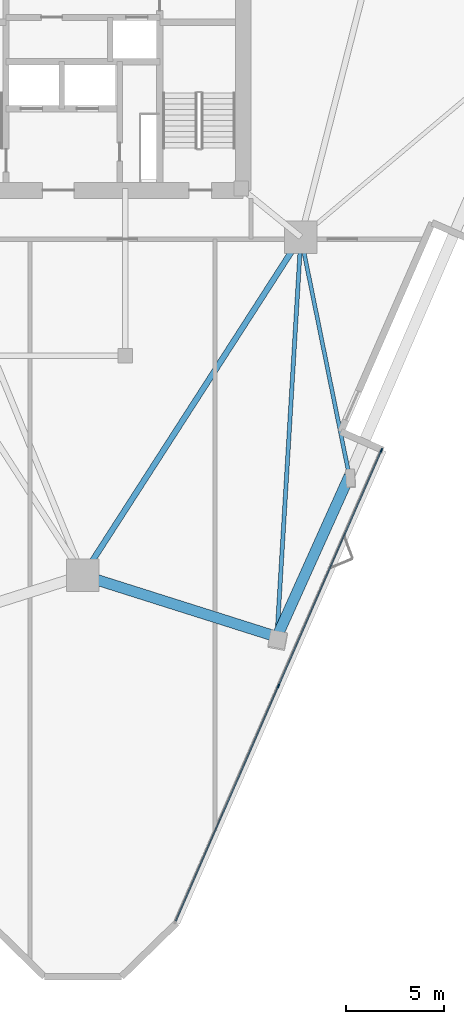
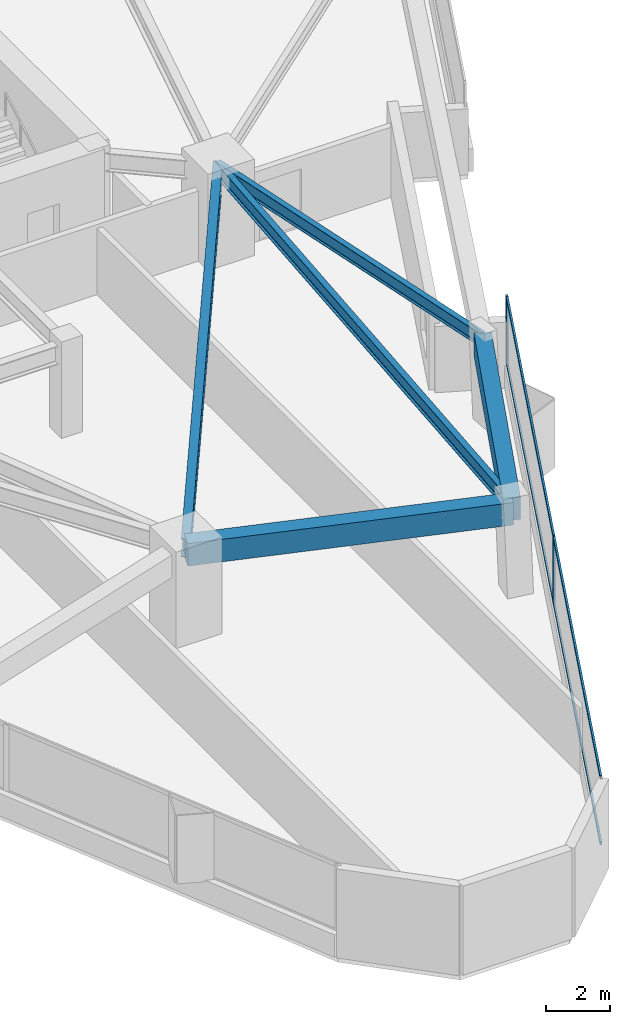
# One storey, part 3 of 15: 6 members, 5 beams, 1 element without a shape of its own.
"""IFC4 building model written with IfcOpenShell, lengths in metres."""

from ifc_helpers import new_model, si_unit, direction, frame, origin, origin_2d, place, context, subcontext, project, spatial, rectangle, i_section, extrude, material, layer, layer_set, material_profile, profile_set, type_object, element, aggregate, save


model = new_model("IFC4")

# Units and contexts
model_context = context("Model", 3, precision=1e-05, world=origin(), true_north=direction((0.0, 1.0)))
body_context = subcontext(model_context, "Body", "Model", "MODEL_VIEW")
ifc_project = project(units=[si_unit("LENGTHUNIT", "METRE"), si_unit("AREAUNIT", "SQUARE_METRE"), si_unit("VOLUMEUNIT", "CUBIC_METRE"), si_unit("PLANEANGLEUNIT", "RADIAN"), si_unit("MASSUNIT", "GRAM", prefix="KILO")], contexts=[model_context])

# Site, building, storey
site_placement = place(None, origin())
site = spatial("IfcSite", under=ifc_project, at=site_placement, CompositionType="ELEMENT")
building_placement = place(site_placement, origin())
building = spatial("IfcBuilding", under=site, at=building_placement, Name="Talyreon Biosciences Tower", CompositionType="ELEMENT")
storey_placement = place(building_placement, frame((0.0, 0.0, 100.550048828125)))
storey = spatial("IfcBuildingStorey", under=building, at=storey_placement, Name="L26", CompositionType="ELEMENT", Elevation=100.550048828125)

# Curtain wall, members
ifc_material_1 = material(Name="Thermally broken aluminium and low-E glazing", Category="aluminium")
ifc_layer = layer(ifc_material_1, 0.205078125)
ifc_layer_set = layer_set([ifc_layer], Name="Thermally broken aluminium and low-E glazing")
curtain_wall_type = type_object("IfcCurtainWallType", Name="CurtainWall_SkyGardenLoggia", PredefinedType="NOTDEFINED", material=ifc_layer_set)
curtain_wall_placement = place(storey_placement, origin())
curtain_wall = element("IfcCurtainWall", 1, at=curtain_wall_placement, inside=storey, type_object=curtain_wall_type, Name="L26 Unitised Curtain Wall FCW-L26-11", PredefinedType="NOTDEFINED")
ifc_material_2 = material(Name="Anodised thermally broken aluminium", Category="aluminium")
ifc_material_profile_1 = material_profile(ifc_material_2, rectangle(XDim=0.074951171875, YDim=0.2099609375, at=origin_2d()), Name="ALUM MULLION 75x210")
ifc_profile_set_1 = profile_set([ifc_material_profile_1], Name="Anodised thermally broken aluminium")
member_type_1 = type_object("IfcMemberType", Name="CWMullion_75x210", PredefinedType="MULLION", material=ifc_profile_set_1)
member_1_placement = place(storey_placement, frame((81.181396484375, 48.03125, 0.81005859375), z_axis=(0.0, 0.0, 1.0), x_axis=(0.916345572627, -0.400388300937, 0.0)))
member_1 = element("IfcMember", 2, at=member_1_placement, type_object=member_type_1, Name="CW7 mullion 1", PredefinedType="MULLION", context=body_context, shape_type="SweptSolid", body=[
    extrude(rectangle(XDim=0.074951171875, YDim=0.2099609375, at=origin_2d()), origin(), (0.0, 0.0, 1.0), 2.56494140625),
])
member_2_placement = place(storey_placement, frame((75.944091796875, 36.044677734375, 0.81005859375), z_axis=(0.0, 0.0, 1.0), x_axis=(0.916345572627, -0.400388300937, 0.0)))
member_2 = element("IfcMember", 3, at=member_2_placement, type_object=member_type_1, Name="CW7 mullion 2", PredefinedType="MULLION", context=body_context, shape_type="SweptSolid", body=[
    extrude(rectangle(XDim=0.074951171875, YDim=0.2099609375, at=origin_2d()), origin(), (0.0, 0.0, 1.0), 2.56494140625),
])
ifc_material_profile_2 = material_profile(ifc_material_2, rectangle(XDim=0.06494140625, YDim=0.139892578125, at=origin_2d()), Name="ALUM TRANSOM 65x140")
ifc_profile_set_2 = profile_set([ifc_material_profile_2], Name="Anodised thermally broken aluminium")
member_type_2 = type_object("IfcMemberType", Name="CWTransom_65x140", PredefinedType="USERDEFINED", material=ifc_profile_set_2)
member_3_placement = place(storey_placement, frame((81.166259765625, 47.996826171875, 0.842529296875), z_axis=(-0.400384513309, -0.916347227585, 0.0), x_axis=(0.916347227585, -0.400384513309, 0.0)))
member_3 = element("IfcMember", 4, at=member_3_placement, type_object=member_type_2, Name="CW7 transom 1.1", ObjectType="TRANSOM", PredefinedType="USERDEFINED", context=body_context, shape_type="SweptSolid", body=[
    extrude(rectangle(XDim=0.06494140625, YDim=0.139892578125, at=origin_2d()), origin(), (0.0, 0.0, 1.0), 13.005615234375),
])
member_4_placement = place(storey_placement, frame((81.166259765625, 47.996826171875, 3.342529296875), z_axis=(-0.400384513309, -0.916347227585, 0.0), x_axis=(0.916347227585, -0.400384513309, 0.0)))
member_4 = element("IfcMember", 5, at=member_4_placement, type_object=member_type_2, Name="CW7 transom 1.2", ObjectType="TRANSOM", PredefinedType="USERDEFINED", context=body_context, shape_type="SweptSolid", body=[
    extrude(rectangle(XDim=0.06494140625, YDim=0.139892578125, at=origin_2d()), origin(), (0.0, 0.0, 1.0), 13.005615234375),
])
member_5_placement = place(storey_placement, frame((75.928955078125, 36.010498046875, 0.842529296875), z_axis=(-0.400384513309, -0.916347227585, 0.0), x_axis=(0.916347227585, -0.400384513309, 0.0)))
member_5 = element("IfcMember", 6, at=member_5_placement, type_object=member_type_2, Name="CW7 transom 2.1", ObjectType="TRANSOM", PredefinedType="USERDEFINED", context=body_context, shape_type="SweptSolid", body=[
    extrude(rectangle(XDim=0.06494140625, YDim=0.139892578125, at=origin_2d()), origin(), (0.0, 0.0, 1.0), 13.005615234375),
])
member_6_placement = place(storey_placement, frame((75.928955078125, 36.010498046875, 3.342529296875), z_axis=(-0.400384513309, -0.916347227585, 0.0), x_axis=(0.916347227585, -0.400384513309, 0.0)))
member_6 = element("IfcMember", 7, at=member_6_placement, type_object=member_type_2, Name="CW7 transom 2.2", ObjectType="TRANSOM", PredefinedType="USERDEFINED", context=body_context, shape_type="SweptSolid", body=[
    extrude(rectangle(XDim=0.06494140625, YDim=0.139892578125, at=origin_2d()), origin(), (0.0, 0.0, 1.0), 13.005615234375),
])
aggregate(curtain_wall, [member_1, member_2, member_3, member_4, member_5, member_6])

# Beams
ifc_material_3 = material(Name="Precast concrete C45/55", Category="concrete")
ifc_material_profile_3 = material_profile(ifc_material_3, rectangle(XDim=0.550048828125, YDim=0.85009765625, at=origin_2d()), Name="RCB 550x850")
ifc_profile_set_3 = profile_set([ifc_material_profile_3], Name="Precast concrete C45/55")
beam_type_1 = type_object("IfcBeamType", Name="ExpressedSpandrel_550x850", PredefinedType="SPANDREL", material=ifc_profile_set_3)
beam_1_placement = place(storey_placement, frame((66.0, 41.6669921875, 2.949951171875), z_axis=(0.953380685444, -0.301770224878, 0.0), x_axis=(0.301770224878, 0.953380685444, 0.0)))
element("IfcBeam", 8, at=beam_1_placement, inside=storey, type_object=beam_type_1, Name="L26 Expressed Horizontal Concrete Spandrel 01", PredefinedType="SPANDREL", context=body_context, shape_type="SweptSolid", body=[
    extrude(rectangle(XDim=0.550048828125, YDim=0.85009765625, at=origin_2d()), origin(), (0.0, 0.0, 1.0), 10.3505859375),
])
beam_2_placement = place(storey_placement, frame((75.8681640625, 38.54345703125, 2.949951171875), z_axis=(0.410572884935, 0.911827783167, 0.0), x_axis=(-0.911827783167, 0.410572884935, 0.0)))
element("IfcBeam", 9, at=beam_2_placement, inside=storey, type_object=beam_type_1, Name="L26 Expressed Horizontal Concrete Spandrel 02", PredefinedType="SPANDREL", context=body_context, shape_type="SweptSolid", body=[
    extrude(rectangle(XDim=0.550048828125, YDim=0.85009765625, at=origin_2d()), origin(), (0.0, 0.0, 1.0), 8.970703125),
])
ifc_material_4 = material(Name="Steel SM355", Category="steel")
ifc_material_profile_4 = material_profile(ifc_material_4, i_section(OverallWidth=0.300048828125, OverallDepth=0.699951171875, WebThickness=0.01708984375, FlangeThickness=0.031982421875, FilletRadius=0.027099609375, at=origin_2d()), Name="HE700B")
ifc_profile_set_4 = profile_set([ifc_material_profile_4], Name="Steel SM355")
beam_type_2 = type_object("IfcBeamType", Name="SteelGirder_HE700B", PredefinedType="BEAM", material=ifc_profile_set_4)
beam_3_placement = place(storey_placement, frame((66.0, 41.6669921875, 3.02490234375), z_axis=(0.541463723609, 0.840724114092, 0.0), x_axis=(-0.840724114092, 0.541463723609, 0.0)))
element("IfcBeam", 10, at=beam_3_placement, inside=storey, type_object=beam_type_2, Name="L26 Mega-Ring Girder 1", PredefinedType="BEAM", context=body_context, shape_type="SweptSolid", body=[
    extrude(i_section(OverallWidth=0.300048828125, OverallDepth=0.699951171875, WebThickness=0.01708984375, FlangeThickness=0.031982421875, FilletRadius=0.027099609375, at=origin_2d()), origin(), (0.0, 0.0, 1.0), 20.474365234375),
])
ifc_material_profile_5 = material_profile(ifc_material_4, i_section(OverallWidth=0.199951171875, OverallDepth=0.5, WebThickness=0.01025390625, FlangeThickness=0.01611328125, FilletRadius=0.02099609375, at=origin_2d()), Name="IPE500")
ifc_profile_set_5 = profile_set([ifc_material_profile_5], Name="Steel SM355")
beam_type_3 = type_object("IfcBeamType", Name="SteelJoist_IPE500", PredefinedType="JOIST", material=ifc_profile_set_5)
beam_4_placement = place(storey_placement, frame((77.086181640625, 58.88037109375, 3.125), z_axis=(0.19872322886, -0.98005565062, 0.0), x_axis=(0.98005565062, 0.19872322886, 0.0)))
element("IfcBeam", 11, at=beam_4_placement, inside=storey, type_object=beam_type_3, Name="L26 Radial Composite Floor Joist PL-SE", PredefinedType="JOIST", context=body_context, shape_type="SweptSolid", body=[
    extrude(i_section(OverallWidth=0.199951171875, OverallDepth=0.5, WebThickness=0.01025390625, FlangeThickness=0.01611328125, FilletRadius=0.02099609375, at=origin_2d()), origin(), (0.0, 0.0, 1.0), 12.404541015625),
])
ifc_material_profile_6 = material_profile(ifc_material_4, i_section(OverallWidth=0.2099609375, OverallDepth=0.550048828125, WebThickness=0.010986328125, FlangeThickness=0.01708984375, FilletRadius=0.02392578125, at=origin_2d()), Name="IPE550")
ifc_profile_set_6 = profile_set([ifc_material_profile_6], Name="Steel SM355")
beam_type_4 = type_object("IfcBeamType", Name="SteelJoist_IPE550", PredefinedType="JOIST", material=ifc_profile_set_6)
beam_5_placement = place(storey_placement, frame((77.086181640625, 58.88037109375, 3.099853515625), z_axis=(-0.059784827289, -0.998211287467, 0.0), x_axis=(0.998211287467, -0.059784827289, 0.0)))
element("IfcBeam", 12, at=beam_5_placement, inside=storey, type_object=beam_type_4, Name="L26 Radial Composite Floor Joist PC-SE1", PredefinedType="JOIST", context=body_context, shape_type="SweptSolid", body=[
    extrude(i_section(OverallWidth=0.2099609375, OverallDepth=0.550048828125, WebThickness=0.010986328125, FlangeThickness=0.01708984375, FilletRadius=0.02392578125, at=origin_2d()), origin(), (0.0, 0.0, 1.0), 20.373291015625),
])

save(model, "model.ifc")
